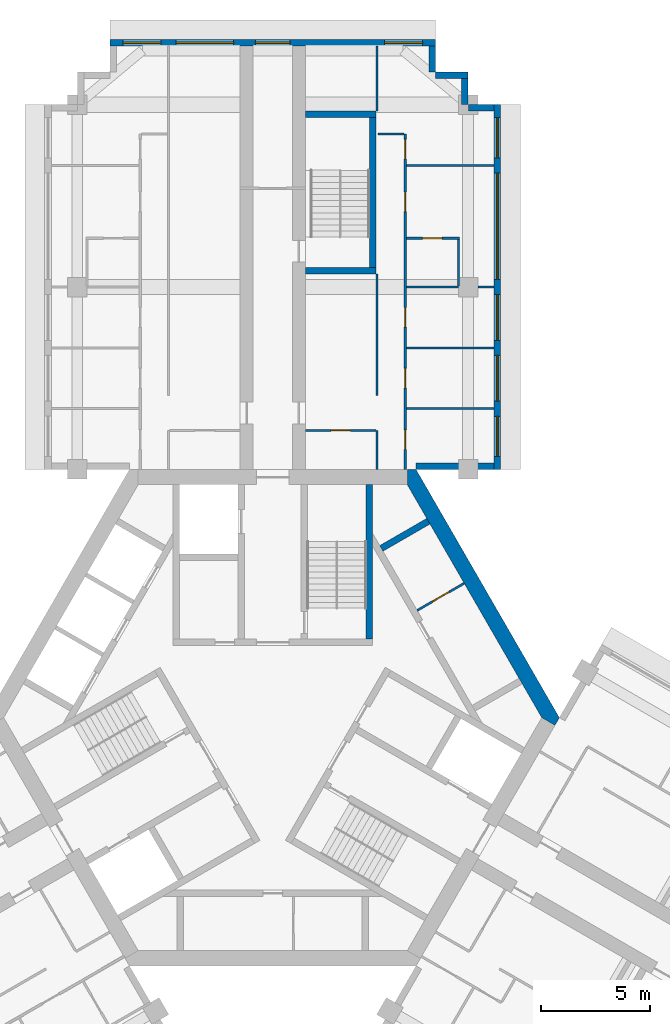
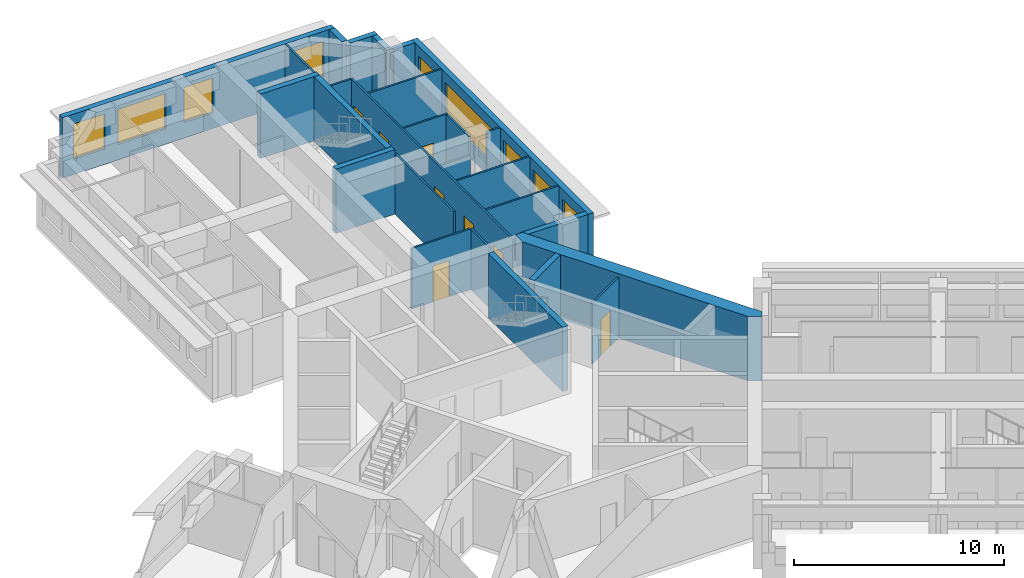
# One storey, part 8 of 10: 27 walls, 9 windows, 8 doors, 17 openings.
"""IFC4 building model written with IfcOpenShell, lengths in metres."""

from ifc_helpers import new_model, si_unit, direction, frame, frame_2d, origin, place, context, subcontext, project, spatial, polyline, rectangle, outline, extrude, material, layer, layer_set, type_object, element, fill, save


model = new_model("IFC4")

# Units and contexts
model_context = context("Model", 3, precision=1e-05, world=origin(), true_north=direction((0.0, 1.0)))
body_context = subcontext(model_context, "Body", "Model", "MODEL_VIEW")
ifc_project = project(units=[si_unit("LENGTHUNIT", "METRE"), si_unit("AREAUNIT", "SQUARE_METRE"), si_unit("VOLUMEUNIT", "CUBIC_METRE"), si_unit("PLANEANGLEUNIT", "RADIAN"), si_unit("MASSUNIT", "GRAM", prefix="KILO")], contexts=[model_context])

# Site, building, storey
site_placement = place(None, origin())
site = spatial("IfcSite", under=ifc_project, at=site_placement, CompositionType="ELEMENT")
building_placement = place(site_placement, origin())
building = spatial("IfcBuilding", under=site, at=building_placement, Name="Impinga Residences", CompositionType="ELEMENT")
storey_placement = place(building_placement, frame((0.0, 0.0, 241.0)))
storey = spatial("IfcBuildingStorey", under=building, at=storey_placement, Name="L60", CompositionType="ELEMENT", Elevation=241.0)

# Wall, opening, door
ifc_material_1 = material(Name="Concrete blockwork", Category="masonry")
ifc_layer_1 = layer(ifc_material_1, 0.10009765625)
ifc_layer_set_1 = layer_set([ifc_layer_1], Name="CP1 core room partition, blockwork 100")
wall_type_1 = type_object("IfcWallType", Name="CP1 core room partition, blockwork 100", PredefinedType="PARTITIONING", material=ifc_layer_set_1)
wall_1_placement = place(storey_placement, frame((6.65380859375, 4.9384765625, 0.0), z_axis=(0.0, 0.0, 1.0), x_axis=(0.866022959057, 0.500004234368, 0.0)))
wall_1 = element("IfcWall", 1, at=wall_1_placement, inside=storey, type_object=wall_type_1, Name="Core room partition, blockwork L60:CORE:mid:ZP1", PredefinedType="PARTITIONING", context=body_context, shape_type="SweptSolid", body=[
    extrude(rectangle(XDim=2.5, YDim=0.10009765625, at=frame_2d((1.25, 0.0))), origin(), (0.0, 0.0, 1.0), 3.530029296875),
])
opening_1_placement = place(wall_1_placement, frame((0.800048828125, 0.0, 0.0)))
opening_1 = element("IfcOpeningElement", 2, at=opening_1_placement, cuts=wall_1, Name="Opening D6", PredefinedType="OPENING", context=body_context, shape_type="SweptSolid", body=[
    extrude(rectangle(XDim=0.89990234375, YDim=2.10009765625, at=frame_2d((0.449951171875, 1.050048828125))), frame((0.0, 0.06005859375, 0.0), z_axis=(0.0, -1.0, 0.0), x_axis=(1.0, 0.0, 0.0)), (0.0, 0.0, 1.0), 0.1201171875),
])
ifc_material_2 = material(Name="Timber door set", Category="wood")
door_type_1 = type_object("IfcDoorType", Name="D6 riser and store door 900x2100", OperationType="SINGLE_SWING_LEFT", PredefinedType="DOOR", material=ifc_material_2)
door_1_placement = place(opening_1_placement, origin())
door_1 = element("IfcDoor", 3, at=door_1_placement, inside=storey, type_object=door_type_1, Name="Cleaners' store door", OperationType="SINGLE_SWING_LEFT", OverallHeight=2.10009765625, OverallWidth=0.89990234375, PredefinedType="DOOR", context=body_context, shape_type="SweptSolid", body=[
    extrude(rectangle(XDim=0.89990234375, YDim=2.10009765625, at=frame_2d((0.449951171875, 1.050048828125))), frame((0.0, 0.02490234375, 0.0), z_axis=(0.0, -1.0, 0.0), x_axis=(1.0, 0.0, 0.0)), (0.0, 0.0, 1.0), 0.050048828125),
])
fill(opening_1, door_1)

# Wall, openings, windows
ifc_material_3 = material(Name="Terracotta rainscreen on blockwork", Category="masonry")
ifc_layer_2 = layer(ifc_material_3, 0.300048828125)
ifc_layer_set_2 = layer_set([ifc_layer_2], Name="EW1 external wall, terracotta rainscreen on blockwork 300")
wall_type_2 = type_object("IfcWallType", Name="EW1 external wall, terracotta rainscreen on blockwork 300", PredefinedType="SOLIDWALL", material=ifc_layer_set_2)
wall_2_placement = place(storey_placement, frame((-7.5, 31.08154296875, 0.0), z_axis=(0.0, 0.0, 1.0), x_axis=(1.0, 0.0, 0.0)))
wall_2 = element("IfcWall", 4, at=wall_2_placement, inside=storey, type_object=wall_type_2, Name="External wall EW1 L60", PredefinedType="SOLIDWALL", context=body_context, shape_type="SweptSolid", body=[
    extrude(rectangle(XDim=15.0, YDim=0.300048828125, at=frame_2d((7.5, 0.0))), origin(), (0.0, 0.0, 1.0), 3.530029296875),
])
opening_2_placement = place(wall_2_placement, frame((0.60009765625, 0.0, 0.89990234375)))
opening_2 = element("IfcOpeningElement", 5, at=opening_2_placement, cuts=wall_2, Name="Opening W1", PredefinedType="OPENING", context=body_context, shape_type="SweptSolid", body=[
    extrude(rectangle(XDim=1.75, YDim=2.050048828125, at=frame_2d((0.875, 1.02490234375))), frame((0.0, 0.159912109375, 0.0), z_axis=(0.0, -1.0, 0.0), x_axis=(1.0, 0.0, 0.0)), (0.0, 0.0, 1.0), 0.320068359375),
])
opening_3_placement = place(wall_2_placement, frame((3.050048828125, 0.0, 0.89990234375)))
opening_3 = element("IfcOpeningElement", 6, at=opening_3_placement, cuts=wall_2, Name="Opening W18", PredefinedType="OPENING", context=body_context, shape_type="SweptSolid", body=[
    extrude(rectangle(XDim=2.64990234375, YDim=2.050048828125, at=frame_2d((1.324951171875, 1.02490234375))), frame((0.0, 0.159912109375, 0.0), z_axis=(0.0, -1.0, 0.0), x_axis=(1.0, 0.0, 0.0)), (0.0, 0.0, 1.0), 0.320068359375),
])
opening_4_placement = place(wall_2_placement, frame((6.699951171875, 0.0, 0.89990234375)))
opening_4 = element("IfcOpeningElement", 7, at=opening_4_placement, cuts=wall_2, Name="Opening W19", PredefinedType="OPENING", context=body_context, shape_type="SweptSolid", body=[
    extrude(rectangle(XDim=1.60009765625, YDim=2.050048828125, at=frame_2d((0.800048828125, 1.02490234375))), frame((0.0, 0.159912109375, 0.0), z_axis=(0.0, -1.0, 0.0), x_axis=(1.0, 0.0, 0.0)), (0.0, 0.0, 1.0), 0.320068359375),
])
opening_5_placement = place(wall_2_placement, frame((12.64990234375, 0.0, 0.89990234375)))
opening_5 = element("IfcOpeningElement", 8, at=opening_5_placement, cuts=wall_2, Name="Opening W1", PredefinedType="OPENING", context=body_context, shape_type="SweptSolid", body=[
    extrude(rectangle(XDim=1.75, YDim=2.050048828125, at=frame_2d((0.875, 1.02490234375))), frame((0.0, 0.159912109375, 0.0), z_axis=(0.0, -1.0, 0.0), x_axis=(1.0, 0.0, 0.0)), (0.0, 0.0, 1.0), 0.320068359375),
])
ifc_material_4 = material(Name="Aluminium window, clear double glazing", Category="aluminium")
window_type_1 = type_object("IfcWindowType", Name="W1 ribbon window 1750x2050", PartitioningType="SINGLE_PANEL", PredefinedType="WINDOW", material=ifc_material_4)
window_1_placement = place(opening_2_placement, origin())
window_1 = element("IfcWindow", 9, at=window_1_placement, inside=storey, type_object=window_type_1, Name="Window L60", OverallHeight=2.050048828125, OverallWidth=1.75, PartitioningType="SINGLE_PANEL", PredefinedType="WINDOW", context=body_context, shape_type="SweptSolid", body=[
    extrude(rectangle(XDim=1.75, YDim=2.050048828125, at=frame_2d((0.875, 1.02490234375))), frame((0.0, 0.030029296875, 0.0), z_axis=(0.0, -1.0, 0.0), x_axis=(1.0, 0.0, 0.0)), (0.0, 0.0, 1.0), 0.06005859375),
])
fill(opening_2, window_1)
window_2_placement = place(opening_5_placement, origin())
window_2 = element("IfcWindow", 10, at=window_2_placement, inside=storey, type_object=window_type_1, Name="Window L60", OverallHeight=2.050048828125, OverallWidth=1.75, PartitioningType="SINGLE_PANEL", PredefinedType="WINDOW", context=body_context, shape_type="SweptSolid", body=[
    extrude(rectangle(XDim=1.75, YDim=2.050048828125, at=frame_2d((0.875, 1.02490234375))), frame((0.0, 0.030029296875, 0.0), z_axis=(0.0, -1.0, 0.0), x_axis=(1.0, 0.0, 0.0)), (0.0, 0.0, 1.0), 0.06005859375),
])
fill(opening_5, window_2)
window_type_2 = type_object("IfcWindowType", Name="W18 ribbon window 2650x2050", PartitioningType="SINGLE_PANEL", PredefinedType="WINDOW", material=ifc_material_4)
window_3_placement = place(opening_3_placement, origin())
window_3 = element("IfcWindow", 11, at=window_3_placement, inside=storey, type_object=window_type_2, Name="Window L60", OverallHeight=2.050048828125, OverallWidth=2.64990234375, PartitioningType="SINGLE_PANEL", PredefinedType="WINDOW", context=body_context, shape_type="SweptSolid", body=[
    extrude(rectangle(XDim=2.64990234375, YDim=2.050048828125, at=frame_2d((1.324951171875, 1.02490234375))), frame((0.0, 0.030029296875, 0.0), z_axis=(0.0, -1.0, 0.0), x_axis=(1.0, 0.0, 0.0)), (0.0, 0.0, 1.0), 0.06005859375),
])
fill(opening_3, window_3)
window_type_3 = type_object("IfcWindowType", Name="W19 ribbon window 1600x2050", PartitioningType="SINGLE_PANEL", PredefinedType="WINDOW", material=ifc_material_4)
window_4_placement = place(opening_4_placement, origin())
window_4 = element("IfcWindow", 12, at=window_4_placement, inside=storey, type_object=window_type_3, Name="Window L60", OverallHeight=2.050048828125, OverallWidth=1.60009765625, PartitioningType="SINGLE_PANEL", PredefinedType="WINDOW", context=body_context, shape_type="SweptSolid", body=[
    extrude(rectangle(XDim=1.60009765625, YDim=2.050048828125, at=frame_2d((0.800048828125, 1.02490234375))), frame((0.0, 0.030029296875, 0.0), z_axis=(0.0, -1.0, 0.0), x_axis=(1.0, 0.0, 0.0)), (0.0, 0.0, 1.0), 0.06005859375),
])
fill(opening_4, window_4)

# Walls
wall_3_placement = place(storey_placement, frame((7.35009765625, 30.931640625, 0.0), z_axis=(0.0, 0.0, 1.0), x_axis=(0.0, -1.0, 0.0)))
element("IfcWall", 13, at=wall_3_placement, inside=storey, type_object=wall_type_2, Name="External wall EW1 L60", PredefinedType="SOLIDWALL", context=body_context, shape_type="SweptSolid", body=[
    extrude(rectangle(XDim=1.195068359375, YDim=0.300048828125, at=frame_2d((0.59765625, 0.0))), origin(), (0.0, 0.0, 1.0), 3.530029296875),
])
wall_4_placement = place(storey_placement, frame((7.5, 29.58154296875, 0.0), z_axis=(0.0, 0.0, 1.0), x_axis=(1.0, 0.0, 0.0)))
element("IfcWall", 14, at=wall_4_placement, inside=storey, type_object=wall_type_2, Name="External wall EW1 L60", PredefinedType="SOLIDWALL", context=body_context, shape_type="SweptSolid", body=[
    extrude(rectangle(XDim=1.5, YDim=0.300048828125, at=frame_2d((0.75, 0.0))), origin(), (0.0, 0.0, 1.0), 3.530029296875),
])
wall_5_placement = place(storey_placement, frame((8.85009765625, 29.431640625, 0.0), z_axis=(0.0, 0.0, 1.0), x_axis=(0.0, -1.0, 0.0)))
element("IfcWall", 15, at=wall_5_placement, inside=storey, type_object=wall_type_2, Name="External wall EW1 L60", PredefinedType="SOLIDWALL", context=body_context, shape_type="SweptSolid", body=[
    extrude(rectangle(XDim=1.2001953125, YDim=0.300048828125, at=frame_2d((0.60009765625, 0.0))), origin(), (0.0, 0.0, 1.0), 3.530029296875),
])
wall_6_placement = place(storey_placement, frame((9.0048828125, 28.08154296875, 0.0), z_axis=(0.0, 0.0, 1.0), x_axis=(1.0, 0.0, 0.0)))
element("IfcWall", 16, at=wall_6_placement, inside=storey, type_object=wall_type_2, Name="External wall EW1 L60", PredefinedType="SOLIDWALL", context=body_context, shape_type="SweptSolid", body=[
    extrude(rectangle(XDim=1.195068359375, YDim=0.300048828125, at=frame_2d((0.59765625, 0.0))), origin(), (0.0, 0.0, 1.0), 3.530029296875),
])

# Wall, openings, windows
wall_7_placement = place(storey_placement, frame((10.35009765625, 28.2314453125, 0.0), z_axis=(0.0, 0.0, 1.0), x_axis=(0.0, -1.0, 0.0)))
wall_7 = element("IfcWall", 17, at=wall_7_placement, inside=storey, type_object=wall_type_2, Name="External wall EW1 L60", PredefinedType="SOLIDWALL", context=body_context, shape_type="SweptSolid", body=[
    extrude(rectangle(XDim=16.7998046875, YDim=0.300048828125, at=frame_2d((8.39990234375, 0.0))), origin(), (0.0, 0.0, 1.0), 3.530029296875),
])
opening_6_placement = place(wall_7_placement, frame((0.60009765625, 0.0, 0.89990234375)))
opening_6 = element("IfcOpeningElement", 18, at=opening_6_placement, cuts=wall_7, Name="Opening W15", PredefinedType="OPENING", context=body_context, shape_type="SweptSolid", body=[
    extrude(rectangle(XDim=1.85009765625, YDim=2.050048828125, at=frame_2d((0.925048828125, 1.02490234375))), frame((0.0, 0.159912109375, 0.0), z_axis=(0.0, -1.0, 0.0), x_axis=(1.0, 0.0, 0.0)), (0.0, 0.0, 1.0), 0.320068359375),
])
opening_7_placement = place(wall_7_placement, frame((3.14990234375, 0.0, 0.89990234375)))
opening_7 = element("IfcOpeningElement", 19, at=opening_7_placement, cuts=wall_7, Name="Opening W16", PredefinedType="OPENING", context=body_context, shape_type="SweptSolid", body=[
    extrude(rectangle(XDim=4.89990234375, YDim=2.050048828125, at=frame_2d((2.449951171875, 1.02490234375))), frame((0.0, 0.159912109375, 0.0), z_axis=(0.0, -1.0, 0.0), x_axis=(1.0, 0.0, 0.0)), (0.0, 0.0, 1.0), 0.320068359375),
])
opening_8_placement = place(wall_7_placement, frame((8.75, 0.0, 0.89990234375)))
opening_8 = element("IfcOpeningElement", 20, at=opening_8_placement, cuts=wall_7, Name="Opening W9", PredefinedType="OPENING", context=body_context, shape_type="SweptSolid", body=[
    extrude(rectangle(XDim=2.10009765625, YDim=2.050048828125, at=frame_2d((1.050048828125, 1.02490234375))), frame((0.0, 0.159912109375, 0.0), z_axis=(0.0, -1.0, 0.0), x_axis=(1.0, 0.0, 0.0)), (0.0, 0.0, 1.0), 0.320068359375),
])
opening_9_placement = place(wall_7_placement, frame((11.550048828125, 0.0, 0.89990234375)))
opening_9 = element("IfcOpeningElement", 21, at=opening_9_placement, cuts=wall_7, Name="Opening W9", PredefinedType="OPENING", context=body_context, shape_type="SweptSolid", body=[
    extrude(rectangle(XDim=2.10009765625, YDim=2.050048828125, at=frame_2d((1.050048828125, 1.02490234375))), frame((0.0, 0.159912109375, 0.0), z_axis=(0.0, -1.0, 0.0), x_axis=(1.0, 0.0, 0.0)), (0.0, 0.0, 1.0), 0.320068359375),
])
opening_10_placement = place(wall_7_placement, frame((14.35009765625, 0.0, 0.89990234375)))
opening_10 = element("IfcOpeningElement", 22, at=opening_10_placement, cuts=wall_7, Name="Opening W15", PredefinedType="OPENING", context=body_context, shape_type="SweptSolid", body=[
    extrude(rectangle(XDim=1.85009765625, YDim=2.050048828125, at=frame_2d((0.925048828125, 1.02490234375))), frame((0.0, 0.159912109375, 0.0), z_axis=(0.0, -1.0, 0.0), x_axis=(1.0, 0.0, 0.0)), (0.0, 0.0, 1.0), 0.320068359375),
])
window_type_4 = type_object("IfcWindowType", Name="W15 ribbon window 1850x2050", PartitioningType="SINGLE_PANEL", PredefinedType="WINDOW", material=ifc_material_4)
window_5_placement = place(opening_6_placement, origin())
window_5 = element("IfcWindow", 23, at=window_5_placement, inside=storey, type_object=window_type_4, Name="Window L60", OverallHeight=2.050048828125, OverallWidth=1.85009765625, PartitioningType="SINGLE_PANEL", PredefinedType="WINDOW", context=body_context, shape_type="SweptSolid", body=[
    extrude(rectangle(XDim=1.85009765625, YDim=2.050048828125, at=frame_2d((0.925048828125, 1.02490234375))), frame((0.0, 0.030029296875, 0.0), z_axis=(0.0, -1.0, 0.0), x_axis=(1.0, 0.0, 0.0)), (0.0, 0.0, 1.0), 0.06005859375),
])
fill(opening_6, window_5)
window_6_placement = place(opening_10_placement, origin())
window_6 = element("IfcWindow", 24, at=window_6_placement, inside=storey, type_object=window_type_4, Name="Window L60", OverallHeight=2.050048828125, OverallWidth=1.85009765625, PartitioningType="SINGLE_PANEL", PredefinedType="WINDOW", context=body_context, shape_type="SweptSolid", body=[
    extrude(rectangle(XDim=1.85009765625, YDim=2.050048828125, at=frame_2d((0.925048828125, 1.02490234375))), frame((0.0, 0.030029296875, 0.0), z_axis=(0.0, -1.0, 0.0), x_axis=(1.0, 0.0, 0.0)), (0.0, 0.0, 1.0), 0.06005859375),
])
fill(opening_10, window_6)
window_type_5 = type_object("IfcWindowType", Name="W16 ribbon window 4900x2050", PartitioningType="SINGLE_PANEL", PredefinedType="WINDOW", material=ifc_material_4)
window_7_placement = place(opening_7_placement, origin())
window_7 = element("IfcWindow", 25, at=window_7_placement, inside=storey, type_object=window_type_5, Name="Window L60", OverallHeight=2.050048828125, OverallWidth=4.89990234375, PartitioningType="SINGLE_PANEL", PredefinedType="WINDOW", context=body_context, shape_type="SweptSolid", body=[
    extrude(rectangle(XDim=4.89990234375, YDim=2.050048828125, at=frame_2d((2.449951171875, 1.02490234375))), frame((0.0, 0.030029296875, 0.0), z_axis=(0.0, -1.0, 0.0), x_axis=(1.0, 0.0, 0.0)), (0.0, 0.0, 1.0), 0.06005859375),
])
fill(opening_7, window_7)
window_type_6 = type_object("IfcWindowType", Name="W9 ribbon window 2100x2050", PartitioningType="SINGLE_PANEL", PredefinedType="WINDOW", material=ifc_material_4)
window_8_placement = place(opening_8_placement, origin())
window_8 = element("IfcWindow", 26, at=window_8_placement, inside=storey, type_object=window_type_6, Name="Window L60", OverallHeight=2.050048828125, OverallWidth=2.10009765625, PartitioningType="SINGLE_PANEL", PredefinedType="WINDOW", context=body_context, shape_type="SweptSolid", body=[
    extrude(rectangle(XDim=2.10009765625, YDim=2.050048828125, at=frame_2d((1.050048828125, 1.02490234375))), frame((0.0, 0.030029296875, 0.0), z_axis=(0.0, -1.0, 0.0), x_axis=(1.0, 0.0, 0.0)), (0.0, 0.0, 1.0), 0.06005859375),
])
fill(opening_8, window_8)
window_9_placement = place(opening_9_placement, origin())
window_9 = element("IfcWindow", 27, at=window_9_placement, inside=storey, type_object=window_type_6, Name="Window L60", OverallHeight=2.050048828125, OverallWidth=2.10009765625, PartitioningType="SINGLE_PANEL", PredefinedType="WINDOW", context=body_context, shape_type="SweptSolid", body=[
    extrude(rectangle(XDim=2.10009765625, YDim=2.050048828125, at=frame_2d((1.050048828125, 1.02490234375))), frame((0.0, 0.030029296875, 0.0), z_axis=(0.0, -1.0, 0.0), x_axis=(1.0, 0.0, 0.0)), (0.0, 0.0, 1.0), 0.06005859375),
])
fill(opening_9, window_9)

# Walls
wall_8_placement = place(storey_placement, frame((10.199951171875, 11.58154296875, 0.0), z_axis=(0.0, 0.0, 1.0), x_axis=(-1.0, 0.0, 0.0)))
element("IfcWall", 28, at=wall_8_placement, inside=storey, type_object=wall_type_2, Name="External wall EW1 L60", PredefinedType="SOLIDWALL", context=body_context, shape_type="SweptSolid", body=[
    extrude(rectangle(XDim=3.599853515625, YDim=0.300048828125, at=frame_2d((1.7998046875, 0.0))), origin(), (0.0, 0.0, 1.0), 3.530029296875),
])
ifc_material_5 = material(Name="Gypsum board on steel studs", Category="steel")
ifc_layer_3 = layer(ifc_material_5, 0.10009765625)
ifc_layer_set_3 = layer_set([ifc_layer_3], Name="Gypsum board on steel studs")
wall_type_3 = type_object("IfcWallType", Name="IP1 partition 100", PredefinedType="PARTITIONING", material=ifc_layer_set_3)
wall_9_placement = place(storey_placement, frame((4.800048828125, 11.431640625, 0.0), z_axis=(0.0, 0.0, 1.0), x_axis=(0.0, 1.0, 0.0)))
element("IfcWall", 29, at=wall_9_placement, inside=storey, type_object=wall_type_3, Name="Partition L60-NF1:DIV0", PredefinedType="PARTITIONING", context=body_context, shape_type="SweptSolid", body=[
    extrude(rectangle(XDim=1.7998046875, YDim=0.10009765625, at=frame_2d((0.89990234375, 0.0))), origin(), (0.0, 0.0, 1.0), 3.530029296875),
])
wall_10_placement = place(storey_placement, frame((4.800048828125, 14.83154296875, 0.0), z_axis=(0.0, 0.0, 1.0), x_axis=(0.0, 1.0, 0.0)))
element("IfcWall", 30, at=wall_10_placement, inside=storey, type_object=wall_type_3, Name="Partition L60-NF1:DIV1", PredefinedType="PARTITIONING", context=body_context, shape_type="SweptSolid", body=[
    extrude(rectangle(XDim=5.60009765625, YDim=0.10009765625, at=frame_2d((2.800048828125, 0.0))), origin(), (0.0, 0.0, 1.0), 3.530029296875),
])
wall_11_placement = place(storey_placement, frame((4.800048828125, 27.931640625, 0.0), z_axis=(0.0, 0.0, 1.0), x_axis=(0.0, 1.0, 0.0)))
element("IfcWall", 31, at=wall_11_placement, inside=storey, type_object=wall_type_3, Name="Partition L60-NF1:DIV2", PredefinedType="PARTITIONING", context=body_context, shape_type="SweptSolid", body=[
    extrude(rectangle(XDim=3.0, YDim=0.10009765625, at=frame_2d((1.5, 0.0))), origin(), (0.0, 0.0, 1.0), 3.530029296875),
])

# Wall, openings, doors
wall_12_placement = place(storey_placement, frame((6.10009765625, 11.431640625, 0.0), z_axis=(0.0, 0.0, 1.0), x_axis=(0.0, 1.0, 0.0)))
wall_12 = element("IfcWall", 32, at=wall_12_placement, inside=storey, type_object=wall_type_3, Name="Partition L60-NF1:STRIP", PredefinedType="PARTITIONING", context=body_context, shape_type="SweptSolid", body=[
    extrude(rectangle(XDim=15.449951171875, YDim=0.10009765625, at=frame_2d((7.72509765625, 0.0))), origin(), (0.0, 0.0, 1.0), 3.530029296875),
])
opening_11_placement = place(wall_12_placement, frame((0.925048828125, 0.0, 0.0)))
opening_11 = element("IfcOpeningElement", 33, at=opening_11_placement, cuts=wall_12, Name="Opening D2", PredefinedType="OPENING", context=body_context, shape_type="SweptSolid", body=[
    extrude(rectangle(XDim=0.89990234375, YDim=2.10009765625, at=frame_2d((0.449951171875, 1.050048828125))), frame((0.0, 0.06005859375, 0.0), z_axis=(0.0, -1.0, 0.0), x_axis=(1.0, 0.0, 0.0)), (0.0, 0.0, 1.0), 0.1201171875),
])
opening_12_placement = place(wall_12_placement, frame((3.75, 0.0, 0.0)))
opening_12 = element("IfcOpeningElement", 34, at=opening_12_placement, cuts=wall_12, Name="Opening D2", PredefinedType="OPENING", context=body_context, shape_type="SweptSolid", body=[
    extrude(rectangle(XDim=0.89990234375, YDim=2.10009765625, at=frame_2d((0.449951171875, 1.050048828125))), frame((0.0, 0.06005859375, 0.0), z_axis=(0.0, -1.0, 0.0), x_axis=(1.0, 0.0, 0.0)), (0.0, 0.0, 1.0), 0.1201171875),
])
opening_13_placement = place(wall_12_placement, frame((6.550048828125, 0.0, 0.0)))
opening_13 = element("IfcOpeningElement", 35, at=opening_13_placement, cuts=wall_12, Name="Opening D2", PredefinedType="OPENING", context=body_context, shape_type="SweptSolid", body=[
    extrude(rectangle(XDim=0.89990234375, YDim=2.10009765625, at=frame_2d((0.449951171875, 1.050048828125))), frame((0.0, 0.06005859375, 0.0), z_axis=(0.0, -1.0, 0.0), x_axis=(1.0, 0.0, 0.0)), (0.0, 0.0, 1.0), 0.1201171875),
])
opening_14_placement = place(wall_12_placement, frame((11.875, 0.0, 0.0)))
opening_14 = element("IfcOpeningElement", 36, at=opening_14_placement, cuts=wall_12, Name="Opening D2", PredefinedType="OPENING", context=body_context, shape_type="SweptSolid", body=[
    extrude(rectangle(XDim=0.89990234375, YDim=2.10009765625, at=frame_2d((0.449951171875, 1.050048828125))), frame((0.0, 0.06005859375, 0.0), z_axis=(0.0, -1.0, 0.0), x_axis=(1.0, 0.0, 0.0)), (0.0, 0.0, 1.0), 0.1201171875),
])
opening_15_placement = place(wall_12_placement, frame((14.300048828125, 0.0, 0.0)))
opening_15 = element("IfcOpeningElement", 37, at=opening_15_placement, cuts=wall_12, Name="Opening D2", PredefinedType="OPENING", context=body_context, shape_type="SweptSolid", body=[
    extrude(rectangle(XDim=0.89990234375, YDim=2.10009765625, at=frame_2d((0.449951171875, 1.050048828125))), frame((0.0, 0.06005859375, 0.0), z_axis=(0.0, -1.0, 0.0), x_axis=(1.0, 0.0, 0.0)), (0.0, 0.0, 1.0), 0.1201171875),
])
door_type_2 = type_object("IfcDoorType", Name="D2 internal door 900x2100", OperationType="SINGLE_SWING_LEFT", PredefinedType="DOOR", material=ifc_material_2)
door_2_placement = place(opening_11_placement, origin())
door_2 = element("IfcDoor", 38, at=door_2_placement, inside=storey, type_object=door_type_2, Name="Apartment L60-NF1 room door", OperationType="SINGLE_SWING_LEFT", OverallHeight=2.10009765625, OverallWidth=0.89990234375, PredefinedType="DOOR", context=body_context, shape_type="SweptSolid", body=[
    extrude(rectangle(XDim=0.89990234375, YDim=2.10009765625, at=frame_2d((0.449951171875, 1.050048828125))), frame((0.0, 0.02490234375, 0.0), z_axis=(0.0, -1.0, 0.0), x_axis=(1.0, 0.0, 0.0)), (0.0, 0.0, 1.0), 0.050048828125),
])
fill(opening_11, door_2)
door_3_placement = place(opening_12_placement, origin())
door_3 = element("IfcDoor", 39, at=door_3_placement, inside=storey, type_object=door_type_2, Name="Apartment L60-NF1 room door", OperationType="SINGLE_SWING_LEFT", OverallHeight=2.10009765625, OverallWidth=0.89990234375, PredefinedType="DOOR", context=body_context, shape_type="SweptSolid", body=[
    extrude(rectangle(XDim=0.89990234375, YDim=2.10009765625, at=frame_2d((0.449951171875, 1.050048828125))), frame((0.0, 0.02490234375, 0.0), z_axis=(0.0, -1.0, 0.0), x_axis=(1.0, 0.0, 0.0)), (0.0, 0.0, 1.0), 0.050048828125),
])
fill(opening_12, door_3)
door_4_placement = place(opening_13_placement, origin())
door_4 = element("IfcDoor", 40, at=door_4_placement, inside=storey, type_object=door_type_2, Name="Apartment L60-NF1 room door", OperationType="SINGLE_SWING_LEFT", OverallHeight=2.10009765625, OverallWidth=0.89990234375, PredefinedType="DOOR", context=body_context, shape_type="SweptSolid", body=[
    extrude(rectangle(XDim=0.89990234375, YDim=2.10009765625, at=frame_2d((0.449951171875, 1.050048828125))), frame((0.0, 0.02490234375, 0.0), z_axis=(0.0, -1.0, 0.0), x_axis=(1.0, 0.0, 0.0)), (0.0, 0.0, 1.0), 0.050048828125),
])
fill(opening_13, door_4)
door_5_placement = place(opening_14_placement, origin())
door_5 = element("IfcDoor", 41, at=door_5_placement, inside=storey, type_object=door_type_2, Name="Apartment L60-NF1 room door", OperationType="SINGLE_SWING_RIGHT", OverallHeight=2.10009765625, OverallWidth=0.89990234375, PredefinedType="DOOR", context=body_context, shape_type="SweptSolid", body=[
    extrude(rectangle(XDim=0.89990234375, YDim=2.10009765625, at=frame_2d((0.449951171875, 1.050048828125))), frame((0.0, 0.02490234375, 0.0), z_axis=(0.0, -1.0, 0.0), x_axis=(1.0, 0.0, 0.0)), (0.0, 0.0, 1.0), 0.050048828125),
])
fill(opening_14, door_5)
door_6_placement = place(opening_15_placement, origin())
door_6 = element("IfcDoor", 42, at=door_6_placement, inside=storey, type_object=door_type_2, Name="Apartment L60-NF1 room door", OperationType="SINGLE_SWING_RIGHT", OverallHeight=2.10009765625, OverallWidth=0.89990234375, PredefinedType="DOOR", context=body_context, shape_type="SweptSolid", body=[
    extrude(rectangle(XDim=0.89990234375, YDim=2.10009765625, at=frame_2d((0.449951171875, 1.050048828125))), frame((0.0, 0.02490234375, 0.0), z_axis=(0.0, -1.0, 0.0), x_axis=(1.0, 0.0, 0.0)), (0.0, 0.0, 1.0), 0.050048828125),
])
fill(opening_15, door_6)

# Wall
wall_13_placement = place(storey_placement, frame((4.85009765625, 26.881591796875, 0.0), z_axis=(0.0, 0.0, 1.0), x_axis=(1.0, 0.0, 0.0)))
element("IfcWall", 43, at=wall_13_placement, inside=storey, type_object=wall_type_3, Name="Partition L60-NF1:SE1", PredefinedType="PARTITIONING", context=body_context, shape_type="SweptSolid", body=[
    extrude(rectangle(XDim=1.199951171875, YDim=0.10009765625, at=frame_2d((0.60009765625, 0.0))), origin(), (0.0, 0.0, 1.0), 3.530029296875),
])

# Wall, opening, door
wall_14_placement = place(storey_placement, frame((1.5, 13.2314453125, 0.0), z_axis=(0.0, 0.0, 1.0), x_axis=(1.0, 0.0, 0.0)))
wall_14 = element("IfcWall", 44, at=wall_14_placement, inside=storey, type_object=wall_type_3, Name="Partition L60-NF1:IB1", PredefinedType="PARTITIONING", context=body_context, shape_type="SweptSolid", body=[
    extrude(rectangle(XDim=3.25, YDim=0.10009765625, at=frame_2d((1.625, 0.0))), origin(), (0.0, 0.0, 1.0), 3.530029296875),
])
opening_16_placement = place(wall_14_placement, frame((1.175048828125, 0.0, 0.0)))
opening_16 = element("IfcOpeningElement", 45, at=opening_16_placement, cuts=wall_14, Name="Opening D2", PredefinedType="OPENING", context=body_context, shape_type="SweptSolid", body=[
    extrude(rectangle(XDim=0.89990234375, YDim=2.10009765625, at=frame_2d((0.449951171875, 1.050048828125))), frame((0.0, 0.06005859375, 0.0), z_axis=(0.0, -1.0, 0.0), x_axis=(1.0, 0.0, 0.0)), (0.0, 0.0, 1.0), 0.1201171875),
])
door_7_placement = place(opening_16_placement, origin())
door_7 = element("IfcDoor", 46, at=door_7_placement, inside=storey, type_object=door_type_2, Name="Apartment L60-NF1 bathroom door", OperationType="SINGLE_SWING_LEFT", OverallHeight=2.10009765625, OverallWidth=0.89990234375, PredefinedType="DOOR", context=body_context, shape_type="SweptSolid", body=[
    extrude(rectangle(XDim=0.89990234375, YDim=2.10009765625, at=frame_2d((0.449951171875, 1.050048828125))), frame((0.0, 0.02490234375, 0.0), z_axis=(0.0, -1.0, 0.0), x_axis=(1.0, 0.0, 0.0)), (0.0, 0.0, 1.0), 0.050048828125),
])
fill(opening_16, door_7)

# Walls
for number, where, z_axis, x_axis, name in (
    (47, (6.14990234375, 14.2314453125, 0.0), (0.0, 0.0, 1.0), (1.0, 0.0, 0.0), "Partition L60-NF1:OB1"),
    (48, (6.14990234375, 17.031494140625, 0.0), (0.0, 0.0, 1.0), (1.0, 0.0, 0.0), "Partition L60-NF1:OB2"),
):
    element("IfcWall", number, at=place(storey_placement, frame(where, z_axis=z_axis, x_axis=x_axis)), inside=storey, type_object=wall_type_3, Name=name, PredefinedType="PARTITIONING", context=body_context, shape_type="SweptSolid", body=[
        extrude(rectangle(XDim=4.050048828125, YDim=0.10009765625, at=frame_2d((2.02490234375, 0.0))), origin(), (0.0, 0.0, 1.0), 3.530029296875),
    ])
wall_15_placement = place(storey_placement, frame((6.14990234375, 19.83154296875, 0.0), z_axis=(0.0, 0.0, 1.0), x_axis=(1.0, 0.0, 0.0)))
element("IfcWall", 49, at=wall_15_placement, inside=storey, type_object=wall_type_3, Name="Partition L60-NF1:OB3", PredefinedType="PARTITIONING", context=body_context, shape_type="SweptSolid", body=[
    extrude(rectangle(XDim=2.400146484375, YDim=0.10009765625, at=frame_2d((1.2001953125, 0.0))), origin(), (0.0, 0.0, 1.0), 2.47998046875),
])
wall_16_placement = place(storey_placement, frame((9.449951171875, 19.83154296875, 0.0), z_axis=(0.0, 0.0, 1.0), x_axis=(1.0, 0.0, 0.0)))
element("IfcWall", 50, at=wall_16_placement, inside=storey, type_object=wall_type_3, Name="Partition L60-NF1:OB3b", PredefinedType="PARTITIONING", context=body_context, shape_type="SweptSolid", body=[
    extrude(rectangle(XDim=0.75, YDim=0.10009765625, at=frame_2d((0.375, 0.0))), origin(), (0.0, 0.0, 1.0), 3.530029296875),
])
wall_17_placement = place(storey_placement, frame((6.14990234375, 25.431640625, 0.0), z_axis=(0.0, 0.0, 1.0), x_axis=(1.0, 0.0, 0.0)))
element("IfcWall", 51, at=wall_17_placement, inside=storey, type_object=wall_type_3, Name="Partition L60-NF1:OB4", PredefinedType="PARTITIONING", context=body_context, shape_type="SweptSolid", body=[
    extrude(rectangle(XDim=4.050048828125, YDim=0.10009765625, at=frame_2d((2.02490234375, 0.0))), origin(), (0.0, 0.0, 1.0), 3.530029296875),
])

# Wall, opening, door
wall_18_placement = place(storey_placement, frame((6.14990234375, 22.08154296875, 0.0), z_axis=(0.0, 0.0, 1.0), x_axis=(1.0, 0.0, 0.0)))
wall_18 = element("IfcWall", 52, at=wall_18_placement, inside=storey, type_object=wall_type_3, Name="Partition L60-NF1:EN1", PredefinedType="PARTITIONING", context=body_context, shape_type="SweptSolid", body=[
    extrude(rectangle(XDim=2.4501953125, YDim=0.10009765625, at=frame_2d((1.22509765625, 0.0))), origin(), (0.0, 0.0, 1.0), 3.530029296875),
])
opening_17_placement = place(wall_18_placement, frame((0.75, 0.0, 0.0)))
opening_17 = element("IfcOpeningElement", 53, at=opening_17_placement, cuts=wall_18, Name="Opening D2", PredefinedType="OPENING", context=body_context, shape_type="SweptSolid", body=[
    extrude(rectangle(XDim=0.89990234375, YDim=2.10009765625, at=frame_2d((0.449951171875, 1.050048828125))), frame((0.0, 0.06005859375, 0.0), z_axis=(0.0, -1.0, 0.0), x_axis=(1.0, 0.0, 0.0)), (0.0, 0.0, 1.0), 0.1201171875),
])
door_8_placement = place(opening_17_placement, origin())
door_8 = element("IfcDoor", 54, at=door_8_placement, inside=storey, type_object=door_type_2, Name="Apartment L60-NF1 en-suite door", OperationType="SINGLE_SWING_LEFT", OverallHeight=2.10009765625, OverallWidth=0.89990234375, PredefinedType="DOOR", context=body_context, shape_type="SweptSolid", body=[
    extrude(rectangle(XDim=0.89990234375, YDim=2.10009765625, at=frame_2d((0.449951171875, 1.050048828125))), frame((0.0, 0.02490234375, 0.0), z_axis=(0.0, -1.0, 0.0), x_axis=(1.0, 0.0, 0.0)), (0.0, 0.0, 1.0), 0.050048828125),
])
fill(opening_17, door_8)

# Walls
wall_19_placement = place(storey_placement, frame((8.550048828125, 19.881591796875, 0.0), z_axis=(0.0, 0.0, 1.0), x_axis=(0.0, 1.0, 0.0)))
element("IfcWall", 55, at=wall_19_placement, inside=storey, type_object=wall_type_3, Name="Partition L60-NF1:EN2", PredefinedType="PARTITIONING", context=body_context, shape_type="SweptSolid", body=[
    extrude(rectangle(XDim=2.14990234375, YDim=0.10009765625, at=frame_2d((1.074951171875, 0.0))), origin(), (0.0, 0.0, 1.0), 3.530029296875),
])
ifc_material_6 = material(Name="Concrete C60/75", Category="concrete")
ifc_layer_4 = layer(ifc_material_6, 0.300048828125)
ifc_layer_set_4 = layer_set([ifc_layer_4], Name="Concrete C60/75")
wall_type_4 = type_object("IfcWallType", Name="SE1 wing stair enclosure wall 300", PredefinedType="SOLIDWALL", material=ifc_layer_set_4)
for number, where, z_axis, x_axis, name in (
    (56, (1.5, 20.58154296875, 0.0), (0.0, 0.0, 1.0), (1.0, 0.0, 0.0), "Stair enclosure wall SE1 N END0 L60"),
    (57, (1.5, 27.781494140625, 0.0), (0.0, 0.0, 1.0), (1.0, 0.0, 0.0), "Stair enclosure wall SE1 N END1 L60"),
):
    element("IfcWall", number, at=place(storey_placement, frame(where, z_axis=z_axis, x_axis=x_axis)), inside=storey, type_object=wall_type_4, Name=name, PredefinedType="SOLIDWALL", context=body_context, shape_type="SweptSolid", body=[
        extrude(rectangle(XDim=3.25, YDim=0.300048828125, at=frame_2d((1.625, 0.0))), origin(), (0.0, 0.0, 1.0), 3.75),
    ])
wall_20_placement = place(storey_placement, frame((4.60009765625, 20.7314453125, 0.0), z_axis=(0.0, 0.0, 1.0), x_axis=(0.0, 1.0, 0.0)))
element("IfcWall", 58, at=wall_20_placement, inside=storey, type_object=wall_type_4, Name="Stair enclosure wall SE1 N OUT L60", PredefinedType="SOLIDWALL", context=body_context, shape_type="SweptSolid", body=[
    extrude(rectangle(XDim=6.900146484375, YDim=0.300048828125, at=frame_2d((3.4501953125, 0.0))), origin(), (0.0, 0.0, 1.0), 3.75),
])
ifc_layer_5 = layer(ifc_material_6, 0.699951171875)
ifc_layer_set_5 = layer_set([ifc_layer_5], Name="Concrete C60/75")
wall_type_5 = type_object("IfcWallType", Name="SW3 core wall 700", PredefinedType="SHEAR", material=ifc_layer_set_5)
wall_21_placement = place(storey_placement, origin())
element("IfcWall", 59, at=wall_21_placement, inside=storey, type_object=wall_type_5, Name="Core wall SW3 W:EXPOSED L60", PredefinedType="SHEAR", context=body_context, shape_type="SweptSolid", body=[
    extrude(outline(polyline([(13.199951171875, 0.0), (6.60009765625, 11.431640625), (6.19580078125, 11.431640625), (6.19580078125, 10.7314453125), (12.3916015625, 0.0), (12.998046875, -0.35009765625), (13.199951171875, 0.0)])), origin(), (0.0, 0.0, 1.0), 3.75),
])
ifc_material_7 = material(Name="Concrete C70/85", Category="concrete")
ifc_layer_6 = layer(ifc_material_7, 0.300048828125)
ifc_layer_set_6 = layer_set([ifc_layer_6], Name="Concrete C70/85")
wall_type_6 = type_object("IfcWallType", Name="SW5 core inner wall, stairs, shafts and lobbies 300", PredefinedType="SHEAR", material=ifc_layer_set_6)
wall_22_placement = place(storey_placement, frame((4.449951171875, 3.6298828125, 0.0), z_axis=(0.0, 0.0, 1.0), x_axis=(0.0, 1.0, 0.0)))
element("IfcWall", 60, at=wall_22_placement, inside=storey, type_object=wall_type_6, Name="Core wall SW5 N:ST-OUT L60", PredefinedType="SHEAR", context=body_context, shape_type="SweptSolid", body=[
    extrude(rectangle(XDim=7.1015625, YDim=0.300048828125, at=frame_2d((3.55078125, 0.0))), origin(), (0.0, 0.0, 1.0), 3.75),
])
wall_23_placement = place(storey_placement, frame((5.003662109375, 7.79638671875, 0.0), z_axis=(0.0, 0.0, 1.0), x_axis=(0.866022959057, 0.500004234368, 0.0)))
element("IfcWall", 61, at=wall_23_placement, inside=storey, type_object=wall_type_6, Name="Core wall SW5 W:BANK-L L60", PredefinedType="SHEAR", context=body_context, shape_type="SweptSolid", body=[
    extrude(rectangle(XDim=2.5, YDim=0.300048828125, at=frame_2d((1.25, 0.0))), origin(), (0.0, 0.0, 1.0), 3.75),
])

save(model, "model.ifc")
